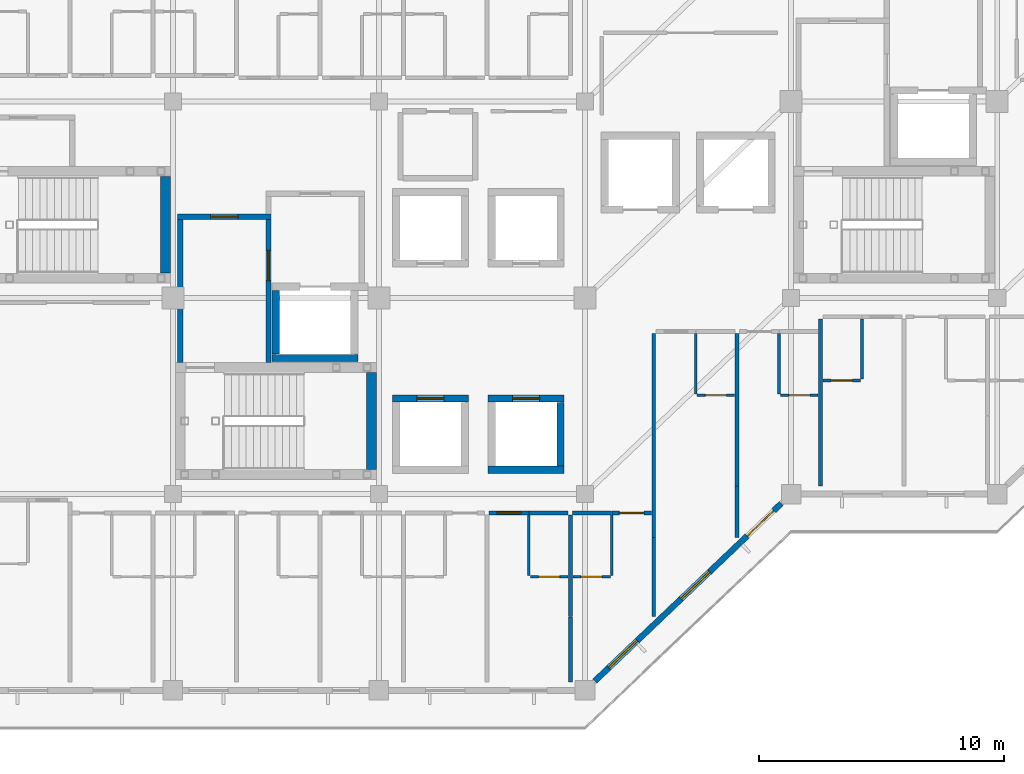
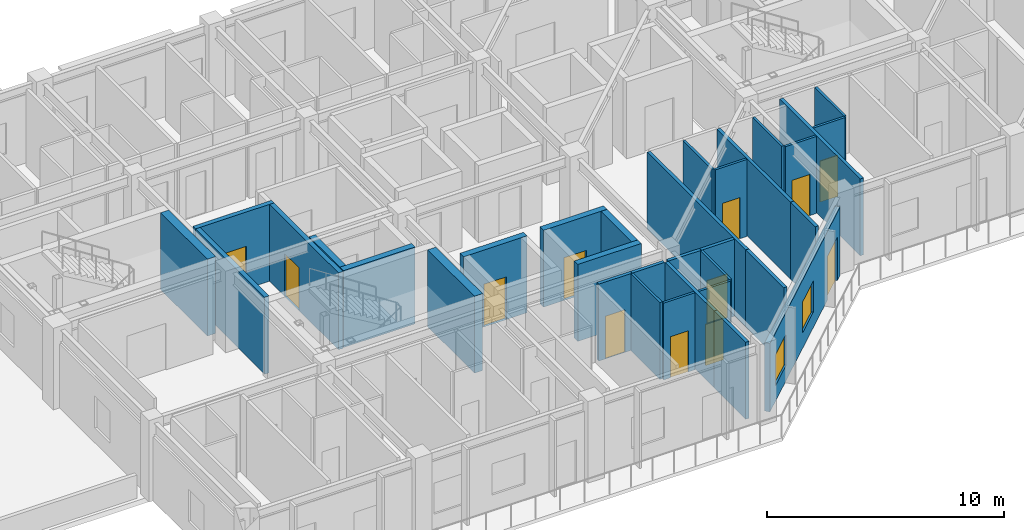
# One storey, part 9 of 22: 33 walls, 12 doors, 2 windows, 14 openings.
"""IFC4 building model written with IfcOpenShell, lengths in metres."""

from ifc_helpers import new_model, si_unit, direction, frame, frame_2d, origin, place, context, subcontext, project, spatial, rectangle, extrude, material, layer, layer_set, type_object, element, fill, save


model = new_model("IFC4")

# Units and contexts
model_context = context("Model", 3, precision=1e-05, world=origin(), true_north=direction((0.0, 1.0)))
body_context = subcontext(model_context, "Body", "Model", "MODEL_VIEW")
ifc_project = project(units=[si_unit("LENGTHUNIT", "METRE"), si_unit("AREAUNIT", "SQUARE_METRE"), si_unit("VOLUMEUNIT", "CUBIC_METRE"), si_unit("PLANEANGLEUNIT", "RADIAN"), si_unit("MASSUNIT", "GRAM", prefix="KILO")], contexts=[model_context])

# Site, building, storey
site_placement = place(None, origin())
site = spatial("IfcSite", under=ifc_project, at=site_placement, CompositionType="ELEMENT")
building_placement = place(site_placement, origin())
building = spatial("IfcBuilding", under=site, at=building_placement, Name="Naruveol Harbour Congress Hotel", CompositionType="ELEMENT")
storey_placement = place(building_placement, frame((0.0, 0.0, 21.0)))
storey = spatial("IfcBuildingStorey", under=building, at=storey_placement, Name="L04", CompositionType="ELEMENT", Elevation=21.0)

# Wall
ifc_material_1 = material(Name="Moisture-Resistant Gypsum Partition", Category="gypsum")
ifc_layer_1 = layer(ifc_material_1, 0.114990234375)
ifc_layer_set_1 = layer_set([ifc_layer_1], Name="Moisture-Resistant Gypsum Partition")
wall_type_1 = type_object("IfcWallType", Name="BATHROOM MOISTURE PARTITION WALL 115", PredefinedType="PARTITIONING", material=ifc_layer_set_1)
wall_1_placement = place(storey_placement, frame((140.510009765625, 4.68994140625, 0.0), z_axis=(0.0, 0.0, 1.0), x_axis=(0.0, 1.0, 0.0)))
element("IfcWall", 1, at=wall_1_placement, inside=storey, type_object=wall_type_1, Name="Bathroom west wall 0583 PW-115", PredefinedType="PARTITIONING", context=body_context, shape_type="SweptSolid", body=[
    extrude(rectangle(XDim=2.449951171875, YDim=0.114990234375, at=frame_2d((1.22509765625, 0.0))), origin(), (0.0, 0.0, 1.0), 3.965087890625),
])

# Wall, opening, door
wall_2_placement = place(storey_placement, frame((140.570068359375, 4.6298828125, 0.0), z_axis=(0.0, 0.0, 1.0), x_axis=(1.0, 0.0, 0.0)))
wall_2 = element("IfcWall", 2, at=wall_2_placement, inside=storey, type_object=wall_type_1, Name="Bathroom south wall 0583 PW-115", PredefinedType="PARTITIONING", context=body_context, shape_type="SweptSolid", body=[
    extrude(rectangle(XDim=1.530029296875, YDim=0.114990234375, at=frame_2d((0.76513671875, 0.0))), origin(), (0.0, 0.0, 1.0), 3.965087890625),
])
opening_1_placement = place(wall_2_placement, frame((0.3349609375, 0.0, 0.0)))
opening_1 = element("IfcOpeningElement", 3, at=opening_1_placement, cuts=wall_2, Name="Opening BD-RM0583", PredefinedType="OPENING", context=body_context, shape_type="SweptSolid", body=[
    extrude(rectangle(XDim=0.860107421875, YDim=2.1201171875, at=frame_2d((0.43017578125, 1.06005859375))), frame((0.0, 0.0673828125, 0.0), z_axis=(0.0, -1.0, 0.0), x_axis=(1.0, 0.0, 0.0)), (0.0, 0.0, 1.0), 0.135009765625),
])
ifc_material_2 = material(Name="Timber & Steel Acoustic Leaf", Category="steel")
door_type_1 = type_object("IfcDoorType", Name="GUEST BATHROOM DOOR 860X2120", OperationType="NOTDEFINED", PredefinedType="DOOR", material=ifc_material_2)
door_1_placement = place(opening_1_placement, origin())
door_1 = element("IfcDoor", 4, at=door_1_placement, inside=storey, type_object=door_type_1, Name="Bathroom Door 0583", OperationType="SINGLE_SWING_RIGHT", OverallHeight=2.1201171875, OverallWidth=0.860107421875, PredefinedType="DOOR", context=body_context, shape_type="SweptSolid", body=[
    extrude(rectangle(XDim=0.860107421875, YDim=2.1201171875, at=frame_2d((0.43017578125, 1.06005859375))), frame((0.0, 0.02490234375, 0.0), z_axis=(0.0, -1.0, 0.0), x_axis=(1.0, 0.0, 0.0)), (0.0, 0.0, 1.0), 0.050048828125),
])
fill(opening_1, door_1)

# Wall
wall_3_placement = place(storey_placement, frame((143.889892578125, 4.68994140625, 0.0), z_axis=(0.0, 0.0, 1.0), x_axis=(0.0, 1.0, 0.0)))
element("IfcWall", 5, at=wall_3_placement, inside=storey, type_object=wall_type_1, Name="Bathroom east wall 0584 PW-115", PredefinedType="PARTITIONING", context=body_context, shape_type="SweptSolid", body=[
    extrude(rectangle(XDim=2.449951171875, YDim=0.114990234375, at=frame_2d((1.22509765625, 0.0))), origin(), (0.0, 0.0, 1.0), 3.965087890625),
])

# Wall, opening, door
wall_4_placement = place(storey_placement, frame((142.300048828125, 4.6298828125, 0.0), z_axis=(0.0, 0.0, 1.0), x_axis=(1.0, 0.0, 0.0)))
wall_4 = element("IfcWall", 6, at=wall_4_placement, inside=storey, type_object=wall_type_1, Name="Bathroom south wall 0584 PW-115", PredefinedType="PARTITIONING", context=body_context, shape_type="SweptSolid", body=[
    extrude(rectangle(XDim=1.530029296875, YDim=0.114990234375, at=frame_2d((0.76513671875, 0.0))), origin(), (0.0, 0.0, 1.0), 3.965087890625),
])
opening_2_placement = place(wall_4_placement, frame((0.3349609375, 0.0, 0.0)))
opening_2 = element("IfcOpeningElement", 7, at=opening_2_placement, cuts=wall_4, Name="Opening BD-RM0584", PredefinedType="OPENING", context=body_context, shape_type="SweptSolid", body=[
    extrude(rectangle(XDim=0.860107421875, YDim=2.1201171875, at=frame_2d((0.43017578125, 1.06005859375))), frame((0.0, 0.0673828125, 0.0), z_axis=(0.0, -1.0, 0.0), x_axis=(1.0, 0.0, 0.0)), (0.0, 0.0, 1.0), 0.135009765625),
])
door_2_placement = place(opening_2_placement, origin())
door_2 = element("IfcDoor", 8, at=door_2_placement, inside=storey, type_object=door_type_1, Name="Bathroom Door 0584", OperationType="SINGLE_SWING_RIGHT", OverallHeight=2.1201171875, OverallWidth=0.860107421875, PredefinedType="DOOR", context=body_context, shape_type="SweptSolid", body=[
    extrude(rectangle(XDim=0.860107421875, YDim=2.1201171875, at=frame_2d((0.43017578125, 1.06005859375))), frame((0.0, 0.02490234375, 0.0), z_axis=(0.0, -1.0, 0.0), x_axis=(1.0, 0.0, 0.0)), (0.0, 0.0, 1.0), 0.050048828125),
])
fill(opening_2, door_2)

# Wall
wall_5_placement = place(storey_placement, frame((147.31005859375, 12.090087890625, 0.0), z_axis=(0.0, 0.0, 1.0), x_axis=(0.0, 1.0, 0.0)))
element("IfcWall", 9, at=wall_5_placement, inside=storey, type_object=wall_type_1, Name="Bathroom west wall 0585 PW-115", PredefinedType="PARTITIONING", context=body_context, shape_type="SweptSolid", body=[
    extrude(rectangle(XDim=2.449951171875, YDim=0.114990234375, at=frame_2d((1.22509765625, 0.0))), origin(), (0.0, 0.0, 1.0), 3.965087890625),
])

# Wall, opening, door
wall_6_placement = place(storey_placement, frame((147.3701171875, 12.030029296875, 0.0), z_axis=(0.0, 0.0, 1.0), x_axis=(1.0, 0.0, 0.0)))
wall_6 = element("IfcWall", 10, at=wall_6_placement, inside=storey, type_object=wall_type_1, Name="Bathroom south wall 0585 PW-115", PredefinedType="PARTITIONING", context=body_context, shape_type="SweptSolid", body=[
    extrude(rectangle(XDim=1.52978515625, YDim=0.114990234375, at=frame_2d((0.764892578125, 0.0))), origin(), (0.0, 0.0, 1.0), 3.965087890625),
])
opening_3_placement = place(wall_6_placement, frame((0.3349609375, 0.0, 0.0)))
opening_3 = element("IfcOpeningElement", 11, at=opening_3_placement, cuts=wall_6, Name="Opening BD-RM0585", PredefinedType="OPENING", context=body_context, shape_type="SweptSolid", body=[
    extrude(rectangle(XDim=0.860107421875, YDim=2.1201171875, at=frame_2d((0.43017578125, 1.06005859375))), frame((0.0, 0.0673828125, 0.0), z_axis=(0.0, -1.0, 0.0), x_axis=(1.0, 0.0, 0.0)), (0.0, 0.0, 1.0), 0.135009765625),
])
door_3_placement = place(opening_3_placement, origin())
door_3 = element("IfcDoor", 12, at=door_3_placement, inside=storey, type_object=door_type_1, Name="Bathroom Door 0585", OperationType="SINGLE_SWING_RIGHT", OverallHeight=2.1201171875, OverallWidth=0.860107421875, PredefinedType="DOOR", context=body_context, shape_type="SweptSolid", body=[
    extrude(rectangle(XDim=0.860107421875, YDim=2.1201171875, at=frame_2d((0.43017578125, 1.06005859375))), frame((0.0, 0.02490234375, 0.0), z_axis=(0.0, -1.0, 0.0), x_axis=(1.0, 0.0, 0.0)), (0.0, 0.0, 1.0), 0.050048828125),
])
fill(opening_3, door_3)

# Wall
wall_7_placement = place(storey_placement, frame((150.7099609375, 12.090087890625, 0.0), z_axis=(0.0, 0.0, 1.0), x_axis=(0.0, 1.0, 0.0)))
element("IfcWall", 13, at=wall_7_placement, inside=storey, type_object=wall_type_1, Name="Bathroom west wall 0586 PW-115", PredefinedType="PARTITIONING", context=body_context, shape_type="SweptSolid", body=[
    extrude(rectangle(XDim=2.449951171875, YDim=0.114990234375, at=frame_2d((1.22509765625, 0.0))), origin(), (0.0, 0.0, 1.0), 3.965087890625),
])

# Wall, opening, door
wall_8_placement = place(storey_placement, frame((150.77001953125, 12.030029296875, 0.0), z_axis=(0.0, 0.0, 1.0), x_axis=(1.0, 0.0, 0.0)))
wall_8 = element("IfcWall", 14, at=wall_8_placement, inside=storey, type_object=wall_type_1, Name="Bathroom south wall 0586 PW-115", PredefinedType="PARTITIONING", context=body_context, shape_type="SweptSolid", body=[
    extrude(rectangle(XDim=1.530029296875, YDim=0.114990234375, at=frame_2d((0.76513671875, 0.0))), origin(), (0.0, 0.0, 1.0), 3.965087890625),
])
opening_4_placement = place(wall_8_placement, frame((0.3349609375, 0.0, 0.0)))
opening_4 = element("IfcOpeningElement", 15, at=opening_4_placement, cuts=wall_8, Name="Opening BD-RM0586", PredefinedType="OPENING", context=body_context, shape_type="SweptSolid", body=[
    extrude(rectangle(XDim=0.860107421875, YDim=2.1201171875, at=frame_2d((0.43017578125, 1.06005859375))), frame((0.0, 0.0673828125, 0.0), z_axis=(0.0, -1.0, 0.0), x_axis=(1.0, 0.0, 0.0)), (0.0, 0.0, 1.0), 0.135009765625),
])
door_4_placement = place(opening_4_placement, origin())
door_4 = element("IfcDoor", 16, at=door_4_placement, inside=storey, type_object=door_type_1, Name="Bathroom Door 0586", OperationType="SINGLE_SWING_RIGHT", OverallHeight=2.1201171875, OverallWidth=0.860107421875, PredefinedType="DOOR", context=body_context, shape_type="SweptSolid", body=[
    extrude(rectangle(XDim=0.860107421875, YDim=2.1201171875, at=frame_2d((0.43017578125, 1.06005859375))), frame((0.0, 0.02490234375, 0.0), z_axis=(0.0, -1.0, 0.0), x_axis=(1.0, 0.0, 0.0)), (0.0, 0.0, 1.0), 0.050048828125),
])
fill(opening_4, door_4)

# Wall
wall_9_placement = place(storey_placement, frame((154.090087890625, 12.68994140625, 0.0), z_axis=(0.0, 0.0, 1.0), x_axis=(0.0, 1.0, 0.0)))
element("IfcWall", 17, at=wall_9_placement, inside=storey, type_object=wall_type_1, Name="Bathroom east wall 0587 PW-115", PredefinedType="PARTITIONING", context=body_context, shape_type="SweptSolid", body=[
    extrude(rectangle(XDim=2.449951171875, YDim=0.114990234375, at=frame_2d((1.22509765625, 0.0))), origin(), (0.0, 0.0, 1.0), 3.965087890625),
])

# Wall, opening, door
wall_10_placement = place(storey_placement, frame((152.5, 12.6298828125, 0.0), z_axis=(0.0, 0.0, 1.0), x_axis=(1.0, 0.0, 0.0)))
wall_10 = element("IfcWall", 18, at=wall_10_placement, inside=storey, type_object=wall_type_1, Name="Bathroom south wall 0587 PW-115", PredefinedType="PARTITIONING", context=body_context, shape_type="SweptSolid", body=[
    extrude(rectangle(XDim=1.530029296875, YDim=0.114990234375, at=frame_2d((0.76513671875, 0.0))), origin(), (0.0, 0.0, 1.0), 3.965087890625),
])
opening_5_placement = place(wall_10_placement, frame((0.3349609375, 0.0, 0.0)))
opening_5 = element("IfcOpeningElement", 19, at=opening_5_placement, cuts=wall_10, Name="Opening BD-RM0587", PredefinedType="OPENING", context=body_context, shape_type="SweptSolid", body=[
    extrude(rectangle(XDim=0.860107421875, YDim=2.1201171875, at=frame_2d((0.43017578125, 1.06005859375))), frame((0.0, 0.0673828125, 0.0), z_axis=(0.0, -1.0, 0.0), x_axis=(1.0, 0.0, 0.0)), (0.0, 0.0, 1.0), 0.135009765625),
])
door_5_placement = place(opening_5_placement, origin())
door_5 = element("IfcDoor", 20, at=door_5_placement, inside=storey, type_object=door_type_1, Name="Bathroom Door 0587", OperationType="SINGLE_SWING_RIGHT", OverallHeight=2.1201171875, OverallWidth=0.860107421875, PredefinedType="DOOR", context=body_context, shape_type="SweptSolid", body=[
    extrude(rectangle(XDim=0.860107421875, YDim=2.1201171875, at=frame_2d((0.43017578125, 1.06005859375))), frame((0.0, 0.02490234375, 0.0), z_axis=(0.0, -1.0, 0.0), x_axis=(1.0, 0.0, 0.0)), (0.0, 0.0, 1.0), 0.050048828125),
])
fill(opening_5, door_5)

# Wall
ifc_material_3 = material(Name="Concrete C40/50", Category="concrete")
ifc_layer_2 = layer(ifc_material_3, 0.219970703125)
ifc_layer_set_2 = layer_set([ifc_layer_2], Name="Concrete C40/50")
wall_type_2 = type_object("IfcWallType", Name="FIRE COMPARTMENT AND LOBBY WALL 220 EI120", PredefinedType="PARTITIONING", material=ifc_layer_set_2)
wall_11_placement = place(storey_placement, frame((126.300048828125, 13.364990234375, 0.0), z_axis=(0.0, 0.0, 1.0), x_axis=(0.0, 1.0, 0.0)))
element("IfcWall", 21, at=wall_11_placement, inside=storey, type_object=wall_type_2, Name="Smoke vestibule ST1 west wall FW-220", PredefinedType="PARTITIONING", context=body_context, shape_type="SweptSolid", body=[
    extrude(rectangle(XDim=5.820068359375, YDim=0.219970703125, at=frame_2d((2.91015625, 0.0))), origin(), (0.0, 0.0, 1.0), 3.965087890625),
])

# Wall, opening, door
wall_12_placement = place(storey_placement, frame((126.18994140625, 19.300048828125, 0.0), z_axis=(0.0, 0.0, 1.0), x_axis=(1.0, 0.0, 0.0)))
wall_12 = element("IfcWall", 22, at=wall_12_placement, inside=storey, type_object=wall_type_2, Name="Smoke vestibule ST1 north wall FW-220", PredefinedType="PARTITIONING", context=body_context, shape_type="SweptSolid", body=[
    extrude(rectangle(XDim=3.820068359375, YDim=0.219970703125, at=frame_2d((1.91015625, 0.0))), origin(), (0.0, 0.0, 1.0), 3.965087890625),
])
opening_6_placement = place(wall_12_placement, frame((1.35009765625, 0.0, 0.0)))
opening_6 = element("IfcOpeningElement", 23, at=opening_6_placement, cuts=wall_12, Name="Opening FD-ST1-V-L04", PredefinedType="OPENING", context=body_context, shape_type="SweptSolid", body=[
    extrude(rectangle(XDim=1.1201171875, YDim=2.199951171875, at=frame_2d((0.56005859375, 1.10009765625))), frame((0.0, 0.119873046875, 0.0), z_axis=(0.0, -1.0, 0.0), x_axis=(1.0, 0.0, 0.0)), (0.0, 0.0, 1.0), 0.239990234375),
])
ifc_material_4 = material(Name="Timber & Steel Acoustic Leaf", Category="steel")
door_type_2 = type_object("IfcDoorType", Name="VESTIBULE SMOKE CONTROL FIRE DOOR 1120X2200", OperationType="NOTDEFINED", PredefinedType="DOOR", material=ifc_material_4)
door_6_placement = place(opening_6_placement, origin())
door_6 = element("IfcDoor", 24, at=door_6_placement, inside=storey, type_object=door_type_2, Name="Smoke Vestibule Entry Door ST1 L04", OperationType="SINGLE_SWING_LEFT", OverallHeight=2.199951171875, OverallWidth=1.1201171875, PredefinedType="DOOR", context=body_context, shape_type="SweptSolid", body=[
    extrude(rectangle(XDim=1.1201171875, YDim=2.199951171875, at=frame_2d((0.56005859375, 1.10009765625))), frame((0.0, 0.02490234375, 0.0), z_axis=(0.0, -1.0, 0.0), x_axis=(1.0, 0.0, 0.0)), (0.0, 0.0, 1.0), 0.050048828125),
])
fill(opening_6, door_6)

wall_13_placement = place(storey_placement, frame((129.89990234375, 13.364990234375, 0.0), z_axis=(0.0, 0.0, 1.0), x_axis=(0.0, 1.0, 0.0)))
wall_13 = element("IfcWall", 25, at=wall_13_placement, inside=storey, type_object=wall_type_2, Name="Smoke vestibule ST1 east wall FW-220", PredefinedType="PARTITIONING", context=body_context, shape_type="SweptSolid", body=[
    extrude(rectangle(XDim=5.820068359375, YDim=0.219970703125, at=frame_2d((2.91015625, 0.0))), origin(), (0.0, 0.0, 1.0), 3.965087890625),
])
opening_7_placement = place(wall_13_placement, frame((3.3349609375, 0.0, 0.0)))
opening_7 = element("IfcOpeningElement", 26, at=opening_7_placement, cuts=wall_13, Name="Opening FD-FFL-ST1-L04", PredefinedType="OPENING", context=body_context, shape_type="SweptSolid", body=[
    extrude(rectangle(XDim=1.239990234375, YDim=2.199951171875, at=frame_2d((0.6201171875, 1.10009765625))), frame((0.0, 0.119873046875, 0.0), z_axis=(0.0, -1.0, 0.0), x_axis=(1.0, 0.0, 0.0)), (0.0, 0.0, 1.0), 0.239990234375),
])
ifc_material_5 = material(Name="Timber & Steel Acoustic Leaf", Category="steel")
door_type_3 = type_object("IfcDoorType", Name="FIREFIGHTING LOBBY FIRE DOOR 1240X2200", OperationType="NOTDEFINED", PredefinedType="DOOR", material=ifc_material_5)
door_7_placement = place(opening_7_placement, origin())
door_7 = element("IfcDoor", 27, at=door_7_placement, inside=storey, type_object=door_type_3, Name="Firefighting Lobby Vestibule Door ST1 L04", OperationType="SINGLE_SWING_RIGHT", OverallHeight=2.199951171875, OverallWidth=1.239990234375, PredefinedType="DOOR", context=body_context, shape_type="SweptSolid", body=[
    extrude(rectangle(XDim=1.239990234375, YDim=2.199951171875, at=frame_2d((0.6201171875, 1.10009765625))), frame((0.0, 0.02490234375, 0.0), z_axis=(0.0, -1.0, 0.0), x_axis=(1.0, 0.0, 0.0)), (0.0, 0.0, 1.0), 0.050048828125),
])
fill(opening_7, door_7)

ifc_material_6 = material(Name="Autoclaved Aerated Concrete Block", Category="concrete")
ifc_layer_3 = layer(ifc_material_6, 0.159912109375)
ifc_layer_set_3 = layer_set([ifc_layer_3], Name="Autoclaved Aerated Concrete Block")
wall_type_3 = type_object("IfcWallType", Name="HOTEL PARTY AND CORRIDOR WALL 160 EI60", PredefinedType="PARTITIONING", material=ifc_layer_set_3)
wall_14_placement = place(storey_placement, frame((138.889892578125, 7.22998046875, 0.0), z_axis=(0.0, 0.0, 1.0), x_axis=(1.0, 0.0, 0.0)))
wall_14 = element("IfcWall", 28, at=wall_14_placement, inside=storey, type_object=wall_type_3, Name="Corridor entry wall 0583 PW-160", PredefinedType="PARTITIONING", context=body_context, shape_type="SweptSolid", body=[
    extrude(rectangle(XDim=1.6201171875, YDim=0.159912109375, at=frame_2d((0.81005859375, 0.0))), origin(), (0.0, 0.0, 1.0), 3.965087890625),
])
opening_8_placement = place(wall_14_placement, frame((0.330078125, 0.0, 0.0)))
opening_8 = element("IfcOpeningElement", 29, at=opening_8_placement, cuts=wall_14, Name="Opening FD-RM0583", PredefinedType="OPENING", context=body_context, shape_type="SweptSolid", body=[
    extrude(rectangle(XDim=0.9599609375, YDim=2.199951171875, at=frame_2d((0.47998046875, 1.10009765625))), frame((0.0, 0.08984375, 0.0), z_axis=(0.0, -1.0, 0.0), x_axis=(1.0, 0.0, 0.0)), (0.0, 0.0, 1.0), 0.179931640625),
])
ifc_material_7 = material(Name="Timber & Steel Acoustic Leaf", Category="steel")
door_type_4 = type_object("IfcDoorType", Name="GUEST ROOM ENTRANCE FIRE DOOR 960X2200", OperationType="NOTDEFINED", PredefinedType="DOOR", material=ifc_material_7)
door_8_placement = place(opening_8_placement, origin())
door_8 = element("IfcDoor", 30, at=door_8_placement, inside=storey, type_object=door_type_4, Name="Hotel Room Door 0583", OperationType="SINGLE_SWING_LEFT", OverallHeight=2.199951171875, OverallWidth=0.9599609375, PredefinedType="DOOR", context=body_context, shape_type="SweptSolid", body=[
    extrude(rectangle(XDim=0.9599609375, YDim=2.199951171875, at=frame_2d((0.47998046875, 1.10009765625))), frame((0.0, 0.02490234375, 0.0), z_axis=(0.0, -1.0, 0.0), x_axis=(1.0, 0.0, 0.0)), (0.0, 0.0, 1.0), 0.050048828125),
])
fill(opening_8, door_8)

# Walls
wall_15_placement = place(storey_placement, frame((140.52001953125, 7.22998046875, 0.0), z_axis=(0.0, 0.0, 1.0), x_axis=(1.0, 0.0, 0.0)))
element("IfcWall", 31, at=wall_15_placement, inside=storey, type_object=wall_type_3, Name="Corridor wall 0583B PW-160", PredefinedType="PARTITIONING", context=body_context, shape_type="SweptSolid", body=[
    extrude(rectangle(XDim=1.590087890625, YDim=0.159912109375, at=frame_2d((0.794921875, 0.0))), origin(), (0.0, 0.0, 1.0), 3.965087890625),
])
wall_16_placement = place(storey_placement, frame((142.199951171875, 0.340087890625, 0.0), z_axis=(0.0, 0.0, 1.0), x_axis=(0.0, 1.0, 0.0)))
element("IfcWall", 32, at=wall_16_placement, inside=storey, type_object=wall_type_3, Name="Hotel end party wall 0583 PW-160", PredefinedType="PARTITIONING", context=body_context, shape_type="SweptSolid", body=[
    extrude(rectangle(XDim=2.659912109375, YDim=0.159912109375, at=frame_2d((1.330078125, 0.0))), origin(), (0.0, 0.0, 1.0), 3.965087890625),
])
wall_17_placement = place(storey_placement, frame((142.2900390625, 7.22998046875, 0.0), z_axis=(0.0, 0.0, 1.0), x_axis=(1.0, 0.0, 0.0)))
element("IfcWall", 33, at=wall_17_placement, inside=storey, type_object=wall_type_3, Name="Corridor wall 0584B PW-160", PredefinedType="PARTITIONING", context=body_context, shape_type="SweptSolid", body=[
    extrude(rectangle(XDim=1.58984375, YDim=0.159912109375, at=frame_2d((0.794921875, 0.0))), origin(), (0.0, 0.0, 1.0), 3.965087890625),
])

# Wall, opening, door
wall_18_placement = place(storey_placement, frame((143.889892578125, 7.22998046875, 0.0), z_axis=(0.0, 0.0, 1.0), x_axis=(1.0, 0.0, 0.0)))
wall_18 = element("IfcWall", 34, at=wall_18_placement, inside=storey, type_object=wall_type_3, Name="Corridor entry wall 0584 PW-160", PredefinedType="PARTITIONING", context=body_context, shape_type="SweptSolid", body=[
    extrude(rectangle(XDim=1.6201171875, YDim=0.159912109375, at=frame_2d((0.81005859375, 0.0))), origin(), (0.0, 0.0, 1.0), 3.965087890625),
])
opening_9_placement = place(wall_18_placement, frame((0.31005859375, 0.0, 0.0)))
opening_9 = element("IfcOpeningElement", 35, at=opening_9_placement, cuts=wall_18, Name="Opening FD-RM0584", PredefinedType="OPENING", context=body_context, shape_type="SweptSolid", body=[
    extrude(rectangle(XDim=1.0, YDim=2.25, at=frame_2d((0.5, 1.125))), frame((0.0, 0.08984375, 0.0), z_axis=(0.0, -1.0, 0.0), x_axis=(1.0, 0.0, 0.0)), (0.0, 0.0, 1.0), 0.179931640625),
])
ifc_material_8 = material(Name="Timber & Steel Acoustic Leaf", Category="steel")
door_type_5 = type_object("IfcDoorType", Name="DELUXE GUEST ENTRANCE FIRE DOOR 1000X2250", OperationType="NOTDEFINED", PredefinedType="DOOR", material=ifc_material_8)
door_9_placement = place(opening_9_placement, origin())
door_9 = element("IfcDoor", 36, at=door_9_placement, inside=storey, type_object=door_type_5, Name="Hotel Room Door 0584", OperationType="SINGLE_SWING_LEFT", OverallHeight=2.25, OverallWidth=1.0, PredefinedType="DOOR", context=body_context, shape_type="SweptSolid", body=[
    extrude(rectangle(XDim=1.0, YDim=2.25, at=frame_2d((0.5, 1.125))), frame((0.0, 0.02490234375, 0.0), z_axis=(0.0, -1.0, 0.0), x_axis=(1.0, 0.0, 0.0)), (0.0, 0.0, 1.0), 0.050048828125),
])
fill(opening_9, door_9)

# Walls
wall_19_placement = place(storey_placement, frame((142.199951171875, 3.010009765625, 0.0), z_axis=(0.0, 0.0, 1.0), x_axis=(0.0, 1.0, 0.0)))
element("IfcWall", 37, at=wall_19_placement, inside=storey, type_object=wall_type_3, Name="Hotel party wall 0584 PW-160", PredefinedType="PARTITIONING", context=body_context, shape_type="SweptSolid", body=[
    extrude(rectangle(XDim=4.1298828125, YDim=0.159912109375, at=frame_2d((2.06494140625, 0.0))), origin(), (0.0, 0.0, 1.0), 3.965087890625),
])
wall_20_placement = place(storey_placement, frame((145.60009765625, 3.010009765625, 0.0), z_axis=(0.0, 0.0, 1.0), x_axis=(0.0, 1.0, 0.0)))
element("IfcWall", 38, at=wall_20_placement, inside=storey, type_object=wall_type_3, Name="Hotel end party wall 0584 PW-160", PredefinedType="PARTITIONING", context=body_context, shape_type="SweptSolid", body=[
    extrude(rectangle(XDim=3.219970703125, YDim=0.159912109375, at=frame_2d((1.60986328125, 0.0))), origin(), (0.0, 0.0, 1.0), 3.965087890625),
])
wall_21_placement = place(storey_placement, frame((145.60009765625, 6.239990234375, 0.0), z_axis=(0.0, 0.0, 1.0), x_axis=(0.0, 1.0, 0.0)))
element("IfcWall", 39, at=wall_21_placement, inside=storey, type_object=wall_type_3, Name="Hotel party wall 0585 PW-160", PredefinedType="PARTITIONING", context=body_context, shape_type="SweptSolid", body=[
    extrude(rectangle(XDim=8.300048828125, YDim=0.159912109375, at=frame_2d((4.14990234375, 0.0))), origin(), (0.0, 0.0, 1.0), 3.965087890625),
])
wall_22_placement = place(storey_placement, frame((149.0, 6.239990234375, 0.0), z_axis=(0.0, 0.0, 1.0), x_axis=(0.0, 1.0, 0.0)))
element("IfcWall", 40, at=wall_22_placement, inside=storey, type_object=wall_type_3, Name="Hotel end party wall 0585 PW-160", PredefinedType="PARTITIONING", context=body_context, shape_type="SweptSolid", body=[
    extrude(rectangle(XDim=2.090087890625, YDim=0.159912109375, at=frame_2d((1.044921875, 0.0))), origin(), (0.0, 0.0, 1.0), 3.965087890625),
])
wall_23_placement = place(storey_placement, frame((149.0, 8.340087890625, 0.0), z_axis=(0.0, 0.0, 1.0), x_axis=(0.0, 1.0, 0.0)))
element("IfcWall", 41, at=wall_23_placement, inside=storey, type_object=wall_type_3, Name="Hotel party wall 0586 PW-160", PredefinedType="PARTITIONING", context=body_context, shape_type="SweptSolid", body=[
    extrude(rectangle(XDim=6.199951171875, YDim=0.159912109375, at=frame_2d((3.10009765625, 0.0))), origin(), (0.0, 0.0, 1.0), 3.965087890625),
])
wall_24_placement = place(storey_placement, frame((152.39990234375, 8.340087890625, 0.0), z_axis=(0.0, 0.0, 1.0), x_axis=(0.0, 1.0, 0.0)))
element("IfcWall", 42, at=wall_24_placement, inside=storey, type_object=wall_type_3, Name="Hotel party wall 0587 PW-160", PredefinedType="PARTITIONING", context=body_context, shape_type="SweptSolid", body=[
    extrude(rectangle(XDim=6.7998046875, YDim=0.159912109375, at=frame_2d((3.39990234375, 0.0))), origin(), (0.0, 0.0, 1.0), 3.965087890625),
])

# Wall, openings, windows, door
ifc_material_9 = material(Name="Concrete C40/50", Category="concrete")
ifc_layer_4 = layer(ifc_material_9, 0.239990234375)
ifc_layer_set_4 = layer_set([ifc_layer_4], Name="Concrete C40/50")
wall_type_4 = type_object("IfcWallType", Name="INSULATED HOTEL SPANDREL WALL 240", PredefinedType="SOLIDWALL", material=ifc_layer_set_4)
wall_25_placement = place(storey_placement, frame((150.800048828125, 7.618896484375, 0.0), z_axis=(0.0, 0.0, 1.0), x_axis=(-0.724156739794, -0.689635422677, 0.0)))
wall_25 = element("IfcWall", 43, at=wall_25_placement, inside=storey, type_object=wall_type_4, Name="Hotel south waterfront wall L04 EW-240", PredefinedType="SOLIDWALL", context=body_context, shape_type="SweptSolid", body=[
    extrude(rectangle(XDim=10.4951171875, YDim=0.239990234375, at=frame_2d((5.24755859375, 0.0))), origin(), (0.0, 0.0, 1.0), 3.530029296875),
])
opening_10_placement = place(wall_25_placement, frame((0.424072265625, 0.0, 0.0)))
opening_10 = element("IfcOpeningElement", 44, at=opening_10_placement, cuts=wall_25, Name="Opening BD-150-033", PredefinedType="OPENING", context=body_context, shape_type="SweptSolid", body=[
    extrude(rectangle(XDim=1.5, YDim=2.25, at=frame_2d((0.75, 1.125))), frame((0.0, 0.1298828125, 0.0), z_axis=(0.0, -1.0, 0.0), x_axis=(1.0, 0.0, 0.0)), (0.0, 0.0, 1.0), 0.260009765625),
])
opening_11_placement = place(wall_25_placement, frame((4.032958984375, 0.0, 0.800048828125)))
opening_11 = element("IfcOpeningElement", 45, at=opening_11_placement, cuts=wall_25, Name="Opening W-03", PredefinedType="OPENING", context=body_context, shape_type="SweptSolid", body=[
    extrude(rectangle(XDim=1.60009765625, YDim=1.60009765625, at=frame_2d((0.800048828125, 0.800048828125))), frame((0.0, 0.1298828125, 0.0), z_axis=(0.0, -1.0, 0.0), x_axis=(1.0, 0.0, 0.0)), (0.0, 0.0, 1.0), 0.260009765625),
])
opening_12_placement = place(wall_25_placement, frame((8.10693359375, 0.0, 0.800048828125)))
opening_12 = element("IfcOpeningElement", 46, at=opening_12_placement, cuts=wall_25, Name="Opening W-03", PredefinedType="OPENING", context=body_context, shape_type="SweptSolid", body=[
    extrude(rectangle(XDim=1.60009765625, YDim=1.60009765625, at=frame_2d((0.800048828125, 0.800048828125))), frame((0.0, 0.1298828125, 0.0), z_axis=(0.0, -1.0, 0.0), x_axis=(1.0, 0.0, 0.0)), (0.0, 0.0, 1.0), 0.260009765625),
])
ifc_material_10 = material(Name="Low-E Triple Glazing in Thermal Aluminium", Category="aluminium")
window_type = type_object("IfcWindowType", Name="DELUXE GUEST WINDOW 1600X1600", PartitioningType="SINGLE_PANEL", PredefinedType="WINDOW", material=ifc_material_10)
window_1_placement = place(opening_11_placement, origin())
window_1 = element("IfcWindow", 47, at=window_1_placement, inside=storey, type_object=window_type, Name="Window W-03 #281", OverallHeight=1.60009765625, OverallWidth=1.60009765625, PartitioningType="SINGLE_PANEL", PredefinedType="WINDOW", context=body_context, shape_type="SweptSolid", body=[
    extrude(rectangle(XDim=1.60009765625, YDim=1.60009765625, at=frame_2d((0.800048828125, 0.800048828125))), frame((0.0, 0.030029296875, 0.0), z_axis=(0.0, -1.0, 0.0), x_axis=(1.0, 0.0, 0.0)), (0.0, 0.0, 1.0), 0.06005859375),
])
fill(opening_11, window_1)
window_2_placement = place(opening_12_placement, origin())
window_2 = element("IfcWindow", 48, at=window_2_placement, inside=storey, type_object=window_type, Name="Window W-03 #282", OverallHeight=1.60009765625, OverallWidth=1.60009765625, PartitioningType="SINGLE_PANEL", PredefinedType="WINDOW", context=body_context, shape_type="SweptSolid", body=[
    extrude(rectangle(XDim=1.60009765625, YDim=1.60009765625, at=frame_2d((0.800048828125, 0.800048828125))), frame((0.0, 0.030029296875, 0.0), z_axis=(0.0, -1.0, 0.0), x_axis=(1.0, 0.0, 0.0)), (0.0, 0.0, 1.0), 0.06005859375),
])
fill(opening_12, window_2)
ifc_material_11 = material(Name="Powder-Coated Steel & Insulated Glazing", Category="steel")
door_type_6 = type_object("IfcDoorType", Name="SUITE BALCONY SLIDING DOOR 1500X2250", OperationType="SLIDING_TO_LEFT", PredefinedType="DOOR", material=ifc_material_11)
door_10_placement = place(opening_10_placement, origin())
door_10 = element("IfcDoor", 49, at=door_10_placement, inside=storey, type_object=door_type_6, Name="Exterior door BD-150-033", OperationType="SLIDING_TO_LEFT", OverallHeight=2.25, OverallWidth=1.5, PredefinedType="DOOR", context=body_context, shape_type="SweptSolid", body=[
    extrude(rectangle(XDim=1.5, YDim=2.25, at=frame_2d((0.75, 1.125))), frame((0.0, 0.02490234375, 0.0), z_axis=(0.0, -1.0, 0.0), x_axis=(1.0, 0.0, 0.0)), (0.0, 0.0, 1.0), 0.050048828125),
])
fill(opening_10, door_10)

# Walls
ifc_material_12 = material(Name="Concrete C50/60", Category="concrete")
ifc_layer_5 = layer(ifc_material_12, 0.39990234375)
ifc_layer_set_5 = layer_set([ifc_layer_5], Name="Concrete C50/60")
wall_type_5 = type_object("IfcWallType", Name="RC CORE SHEAR WALL 400 EI120", PredefinedType="SHEAR", material=ifc_layer_set_5)
for number, where, z_axis, x_axis, name in (
    (50, (134.10009765625, 9.0048828125, 0.0), (0.0, 0.0, 1.0), (0.0, 1.0, 0.0), "Stair ST1 east core wall CW-400"),
    (51, (125.699951171875, 17.0048828125, 0.0), (0.0, 0.0, 1.0), (0.0, 1.0, 0.0), "Stair ST3 east core wall CW-400"),
):
    element("IfcWall", number, at=place(storey_placement, frame(where, z_axis=z_axis, x_axis=x_axis)), inside=storey, type_object=wall_type_5, Name=name, PredefinedType="SHEAR", context=body_context, shape_type="SweptSolid", body=[
        extrude(rectangle(XDim=3.9501953125, YDim=0.39990234375, at=frame_2d((1.97509765625, 0.0))), origin(), (0.0, 0.0, 1.0), 3.965087890625),
    ])

# Wall, opening, door
ifc_material_13 = material(Name="Concrete C50/60", Category="concrete")
ifc_layer_6 = layer(ifc_material_13, 0.300048828125)
ifc_layer_set_6 = layer_set([ifc_layer_6], Name="Concrete C50/60")
wall_type_6 = type_object("IfcWallType", Name="RC STAIR AND HOISTWAY SHEAR WALL 300 EI120", PredefinedType="SHEAR", material=ifc_layer_set_6)
wall_26_placement = place(storey_placement, frame((138.050048828125, 11.89990234375, 0.0), z_axis=(0.0, 0.0, 1.0), x_axis=(-1.0, 0.0, 0.0)))
wall_26 = element("IfcWall", 52, at=wall_26_placement, inside=storey, type_object=wall_type_6, Name="Hoistway north shear wall PL3 SW-300", PredefinedType="SHEAR", context=body_context, shape_type="SweptSolid", body=[
    extrude(rectangle(XDim=3.10009765625, YDim=0.300048828125, at=frame_2d((1.550048828125, 0.0))), origin(), (0.0, 0.0, 1.0), 3.965087890625),
])
opening_13_placement = place(wall_26_placement, frame((1.0, 0.0, 0.0)))
opening_13 = element("IfcOpeningElement", 53, at=opening_13_placement, cuts=wall_26, Name="Opening LD-PL3-L04", PredefinedType="OPENING", context=body_context, shape_type="SweptSolid", body=[
    extrude(rectangle(XDim=1.10009765625, YDim=2.199951171875, at=frame_2d((0.550048828125, 1.10009765625))), frame((0.0, 0.159912109375, 0.0), z_axis=(0.0, -1.0, 0.0), x_axis=(1.0, 0.0, 0.0)), (0.0, 0.0, 1.0), 0.320068359375),
])
ifc_material_14 = material(Name="Stainless Steel Lift Door", Category="steel")
door_type_7 = type_object("IfcDoorType", Name="PASSENGER LIFT LANDING DOOR 1100X2200", OperationType="DOUBLE_DOOR_SLIDING", PredefinedType="DOOR", material=ifc_material_14)
door_11_placement = place(opening_13_placement, origin())
door_11 = element("IfcDoor", 54, at=door_11_placement, inside=storey, type_object=door_type_7, Name="Elevator Landing Door PL3 L04", OperationType="DOUBLE_DOOR_SLIDING", OverallHeight=2.199951171875, OverallWidth=1.10009765625, PredefinedType="DOOR", context=body_context, shape_type="SweptSolid", body=[
    extrude(rectangle(XDim=1.10009765625, YDim=2.199951171875, at=frame_2d((0.550048828125, 1.10009765625))), frame((0.0, 0.02490234375, 0.0), z_axis=(0.0, -1.0, 0.0), x_axis=(1.0, 0.0, 0.0)), (0.0, 0.0, 1.0), 0.050048828125),
])
fill(opening_13, door_11)

# Walls
wall_27_placement = place(storey_placement, frame((138.85009765625, 9.0, 0.0), z_axis=(0.0, 0.0, 1.0), x_axis=(1.0, 0.0, 0.0)))
element("IfcWall", 55, at=wall_27_placement, inside=storey, type_object=wall_type_6, Name="Hoistway south shear wall PL4 SW-300", PredefinedType="SHEAR", context=body_context, shape_type="SweptSolid", body=[
    extrude(rectangle(XDim=3.099853515625, YDim=0.300048828125, at=frame_2d((1.5498046875, 0.0))), origin(), (0.0, 0.0, 1.0), 3.965087890625),
])
wall_28_placement = place(storey_placement, frame((141.800048828125, 9.155029296875, 0.0), z_axis=(0.0, 0.0, 1.0), x_axis=(0.0, 1.0, 0.0)))
element("IfcWall", 56, at=wall_28_placement, inside=storey, type_object=wall_type_6, Name="Hoistway east shear wall PL4 SW-300", PredefinedType="SHEAR", context=body_context, shape_type="SweptSolid", body=[
    extrude(rectangle(XDim=2.590087890625, YDim=0.300048828125, at=frame_2d((1.294921875, 0.0))), origin(), (0.0, 0.0, 1.0), 3.965087890625),
])

# Wall, opening, door
wall_29_placement = place(storey_placement, frame((141.949951171875, 11.89990234375, 0.0), z_axis=(0.0, 0.0, 1.0), x_axis=(-1.0, 0.0, 0.0)))
wall_29 = element("IfcWall", 57, at=wall_29_placement, inside=storey, type_object=wall_type_6, Name="Hoistway north shear wall PL4 SW-300", PredefinedType="SHEAR", context=body_context, shape_type="SweptSolid", body=[
    extrude(rectangle(XDim=3.099853515625, YDim=0.300048828125, at=frame_2d((1.5498046875, 0.0))), origin(), (0.0, 0.0, 1.0), 3.965087890625),
])
opening_14_placement = place(wall_29_placement, frame((1.0, 0.0, 0.0)))
opening_14 = element("IfcOpeningElement", 58, at=opening_14_placement, cuts=wall_29, Name="Opening LD-PL4-L04", PredefinedType="OPENING", context=body_context, shape_type="SweptSolid", body=[
    extrude(rectangle(XDim=1.10009765625, YDim=2.199951171875, at=frame_2d((0.550048828125, 1.10009765625))), frame((0.0, 0.159912109375, 0.0), z_axis=(0.0, -1.0, 0.0), x_axis=(1.0, 0.0, 0.0)), (0.0, 0.0, 1.0), 0.320068359375),
])
door_12_placement = place(opening_14_placement, origin())
door_12 = element("IfcDoor", 59, at=door_12_placement, inside=storey, type_object=door_type_7, Name="Elevator Landing Door PL4 L04", OperationType="DOUBLE_DOOR_SLIDING", OverallHeight=2.199951171875, OverallWidth=1.10009765625, PredefinedType="DOOR", context=body_context, shape_type="SweptSolid", body=[
    extrude(rectangle(XDim=1.10009765625, YDim=2.199951171875, at=frame_2d((0.550048828125, 1.10009765625))), frame((0.0, 0.02490234375, 0.0), z_axis=(0.0, -1.0, 0.0), x_axis=(1.0, 0.0, 0.0)), (0.0, 0.0, 1.0), 0.050048828125),
])
fill(opening_14, door_12)

# Walls
wall_30_placement = place(storey_placement, frame((130.050048828125, 13.550048828125, 0.0), z_axis=(0.0, 0.0, 1.0), x_axis=(1.0, 0.0, 0.0)))
element("IfcWall", 60, at=wall_30_placement, inside=storey, type_object=wall_type_6, Name="Hoistway south shear wall FL1 SW-300", PredefinedType="SHEAR", context=body_context, shape_type="SweptSolid", body=[
    extrude(rectangle(XDim=3.5, YDim=0.300048828125, at=frame_2d((1.75, 0.0))), origin(), (0.0, 0.0, 1.0), 3.965087890625),
])
wall_31_placement = place(storey_placement, frame((130.199951171875, 16.294921875, 0.0), z_axis=(0.0, 0.0, 1.0), x_axis=(0.0, -1.0, 0.0)))
element("IfcWall", 61, at=wall_31_placement, inside=storey, type_object=wall_type_6, Name="Hoistway west shear wall FL1 SW-300", PredefinedType="SHEAR", context=body_context, shape_type="SweptSolid", body=[
    extrude(rectangle(XDim=2.58984375, YDim=0.300048828125, at=frame_2d((1.294921875, 0.0))), origin(), (0.0, 0.0, 1.0), 3.965087890625),
])

save(model, "model.ifc")
